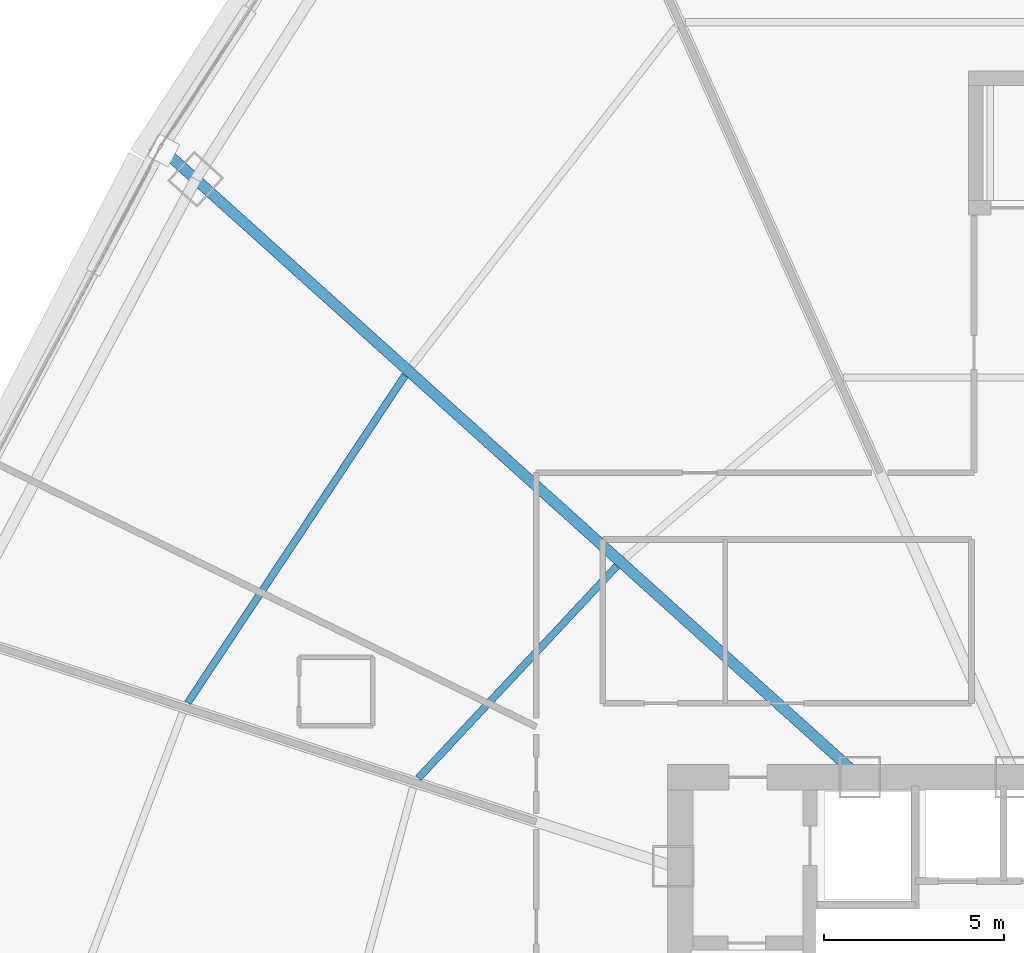
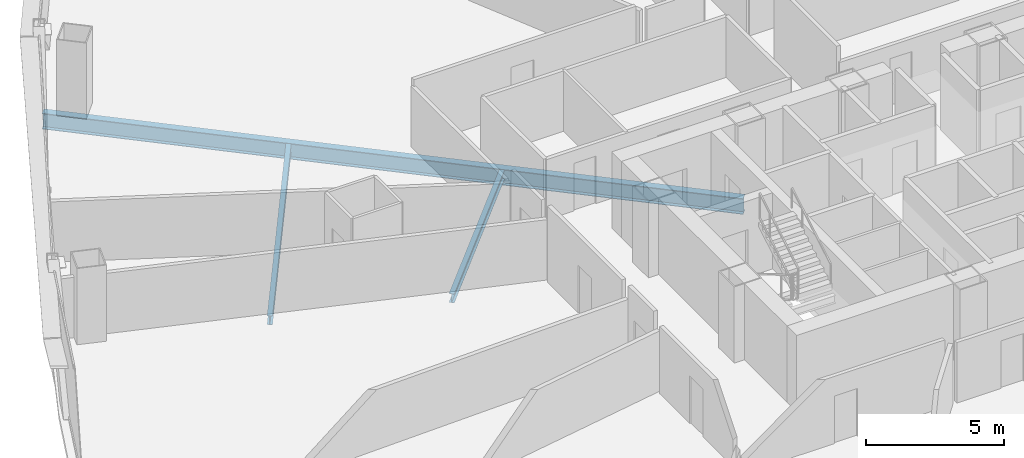
# One storey, part 15 of 37: 3 beams.
"""IFC4 building model written with IfcOpenShell, lengths in metres."""

import ifcopenshell
import ifcopenshell.guid

model = None  # the IFC model being written
_history = None  # IfcOwnerHistory: only IFC2X3 demands one
_inside = {}  # id of a spatial element -> (the spatial element, [elements in it])
_under = {}  # id of a project, library or spatial element -> (it, [spatial elements below it])
_declared = {}  # id of a project -> (the project, [libraries it declares])
_typed = {}  # id of a type object -> (the type object, [elements of that type])
_made_of = {}  # id of a material, layer set ... -> (it, [elements and type objects made of it])


def new_model(schema):
    """Start an empty IFC model of exactly this schema.

    Asked for "IFC4X3", IfcOpenShell would pick the latest addendum, in which some entities
    have other attributes; the version numbers below select the first issue.
    IFC2X3 requires an IfcOwnerHistory on every rooted entity: one is made here for all.
    """
    global model, _history
    if schema == "IFC4X3":
        model = ifcopenshell.file(schema_version=(4, 3, 0, 0))
    else:
        model = ifcopenshell.file(schema=schema)
    _inside.clear()
    _under.clear()
    _declared.clear()
    _typed.clear()
    _made_of.clear()
    _history = None
    if model.schema == "IFC2X3":
        org = make("IfcOrganization", Name="unknown")
        user = make(
            "IfcPersonAndOrganization",
            ThePerson=make("IfcPerson", FamilyName="unknown"),
            TheOrganization=org,
        )
        app = make(
            "IfcApplication",
            ApplicationDeveloper=org,
            Version="unknown",
            ApplicationFullName="unknown",
            ApplicationIdentifier="unknown",
        )
        _history = make(
            "IfcOwnerHistory",
            OwningUser=user,
            OwningApplication=app,
            ChangeAction="ADDED",
            CreationDate=0,
        )
    return model


def make(cls, **values):
    """One entity of the class cls with the attributes given. An attribute that is None is left unset."""
    return model.create_entity(
        cls, **{name: value for name, value in values.items() if value is not None}
    )


def rooted(cls, **values):
    """An entity with a GlobalId (a new one), such as an element, a storey or a relation."""
    return make(cls, GlobalId=ifcopenshell.guid.new(), OwnerHistory=_history, **values)


def si_unit(unit_type, name, prefix=None):
    """IfcSIUnit, for example si_unit("LENGTHUNIT", "METRE", prefix="MILLI")."""
    return make("IfcSIUnit", UnitType=unit_type, Prefix=prefix, Name=name)


def assignment(units):
    """IfcUnitAssignment: the units of a project."""
    return None if units is None else make("IfcUnitAssignment", Units=units)


def point(xyz):
    """IfcCartesianPoint."""
    return None if xyz is None else make("IfcCartesianPoint", Coordinates=xyz)


def direction(xyz):
    """IfcDirection."""
    return None if xyz is None else make("IfcDirection", DirectionRatios=xyz)


def frame(location, z_axis=None, x_axis=None):
    """IfcAxis2Placement3D, a coordinate frame: its origin and axes. An axis left out is left unset."""
    return make(
        "IfcAxis2Placement3D",
        Location=point(location),
        Axis=direction(z_axis),
        RefDirection=direction(x_axis),
    )


def frame_2d(location, x_axis=None):
    """IfcAxis2Placement2D, a coordinate frame in the plane: its origin and x axis."""
    return make(
        "IfcAxis2Placement2D", Location=point(location), RefDirection=direction(x_axis)
    )


def origin():
    """The frame at (0, 0, 0) with its axes left unset."""
    return frame((0.0, 0.0, 0.0))


def origin_2d():
    """The frame at (0, 0) in the plane with its x axis left unset."""
    return frame_2d((0.0, 0.0))


def place(relative_to, where):
    """IfcLocalPlacement: puts the frame where relative to a parent placement (None: the world)."""
    return make(
        "IfcLocalPlacement", PlacementRelTo=relative_to, RelativePlacement=where
    )


def context(
    kind, dimensions, precision=None, world=None, true_north=None, identifier=None
):
    """IfcGeometricRepresentationContext, for example the 3D "Model" context."""
    return make(
        "IfcGeometricRepresentationContext",
        ContextIdentifier=identifier,
        ContextType=kind,
        CoordinateSpaceDimension=dimensions,
        Precision=precision,
        WorldCoordinateSystem=world,
        TrueNorth=true_north,
    )


def subcontext(parent, identifier, kind, view, scale=None):
    """IfcGeometricRepresentationSubContext, for example "Body" below "Model"."""
    return make(
        "IfcGeometricRepresentationSubContext",
        ContextIdentifier=identifier,
        ContextType=kind,
        ParentContext=parent,
        TargetScale=scale,
        TargetView=view,
    )


def project(units=None, contexts=None):
    """IfcProject with its units and contexts."""
    return rooted(
        "IfcProject",
        Name="project",
        RepresentationContexts=contexts,
        UnitsInContext=assignment(units),
    )


def spatial(cls, under=None, at=None, **own):
    """A site, building, storey or space (cls), placed at a placement, below another one or the project."""
    s = rooted(cls, ObjectPlacement=at, **own)
    if under is not None:
        _under.setdefault(under.id(), (under, []))[1].append(s)
    return s


def profile(cls, at=None, kind="AREA", **sizes):
    """A parametric profile (cls). Its sizes go by their IFC names, for example OverallWidth=200.0."""
    return make(cls, ProfileType=kind, Position=at, **sizes)


def i_section(**sizes):
    """IfcIShapeProfileDef."""
    return profile("IfcIShapeProfileDef", **sizes)


def extrude(swept, where, along, depth):
    """IfcExtrudedAreaSolid: the profile swept, set in the frame where, extruded along a direction by depth."""
    return make(
        "IfcExtrudedAreaSolid",
        SweptArea=swept,
        Position=where,
        ExtrudedDirection=direction(along),
        Depth=depth,
    )


def shape(context_of_items, identifier, shape_type, items):
    """IfcShapeRepresentation: the items that make up one representation, for example the "Body"."""
    return make(
        "IfcShapeRepresentation",
        ContextOfItems=context_of_items,
        RepresentationIdentifier=identifier,
        RepresentationType=shape_type,
        Items=items,
    )


def source(mapping_origin, context_of_items, identifier, shape_type, items):
    """IfcRepresentationMap: a shape defined once, which mapped items show again and again."""
    return make(
        "IfcRepresentationMap",
        MappingOrigin=mapping_origin,
        MappedRepresentation=shape(context_of_items, identifier, shape_type, items),
    )


def transform(
    local_origin,
    x_axis=None,
    y_axis=None,
    z_axis=None,
    scale=None,
    scale2=None,
    scale3=None,
    uniform=True,
):
    """IfcCartesianTransformationOperator3D, or its non-uniform kind. x_axis, y_axis, z_axis: its Axis1, 2, 3."""
    if uniform:
        return make(
            "IfcCartesianTransformationOperator3D",
            Axis1=direction(x_axis),
            Axis2=direction(y_axis),
            LocalOrigin=point(local_origin),
            Scale=scale,
            Axis3=direction(z_axis),
        )
    return make(
        "IfcCartesianTransformationOperator3DnonUniform",
        Axis1=direction(x_axis),
        Axis2=direction(y_axis),
        LocalOrigin=point(local_origin),
        Scale=scale,
        Axis3=direction(z_axis),
        Scale2=scale2,
        Scale3=scale3,
    )


def mapped(mapping_source, mapping_target):
    """IfcMappedItem: shows the shape of a source again, moved by a transform."""
    return make(
        "IfcMappedItem", MappingSource=mapping_source, MappingTarget=mapping_target
    )


def material(Name=None, Category=None):
    """IfcMaterial."""
    return make("IfcMaterial", Name=Name, Category=Category)


def material_profile(
    of_material, cross_section, Name=None, Category=None, Priority=None
):
    """IfcMaterialProfile: a cross section and its material."""
    return make(
        "IfcMaterialProfile",
        Name=Name,
        Material=of_material,
        Profile=cross_section,
        Priority=Priority,
        Category=Category,
    )


def profile_set(profiles, Name=None, composite=None):
    """IfcMaterialProfileSet."""
    return make(
        "IfcMaterialProfileSet",
        Name=Name,
        MaterialProfiles=profiles,
        CompositeProfile=composite,
    )


def made_of(thing, what):
    """Note that an element or type object is made of a material, layer set ...; save() writes the relation."""
    if what is not None:
        _made_of.setdefault(what.id(), (what, []))[1].append(thing)
    return thing


def type_object(cls, material=None, **own):
    """A type object (cls), such as IfcWallType, which elements share."""
    return made_of(rooted(cls, **own), material)


def element(
    cls,
    number,
    at=None,
    inside=None,
    cuts=None,
    type_object=None,
    material=None,
    context=None,
    identifier="Body",
    shape_type=None,
    held_by="IfcProductDefinitionShape",
    body=None,
    shapes=None,
    **own,
):
    """One element of the class cls, such as IfcWall. Its Tag is "e" and its number.

    at: its placement. inside: the storey or other place that contains it. cuts: it is an
    opening in that element (IfcRelVoidsElement). A single representation is given by context,
    identifier, shape_type and body (its items); several are given by shapes. held_by: the class
    of the entity that holds the representations. save() writes the other relations.
    """
    e = rooted(cls, Tag="e%d" % number, ObjectPlacement=at, **own)
    if body is not None:
        shapes = [shape(context, identifier, shape_type, body)]
    if shapes is not None:
        e.Representation = make(held_by, Representations=shapes)
    if inside is not None:
        _inside.setdefault(inside.id(), (inside, []))[1].append(e)
    if cuts is not None:
        rooted(
            "IfcRelVoidsElement", RelatingBuildingElement=cuts, RelatedOpeningElement=e
        )
    if type_object is not None:
        _typed.setdefault(type_object.id(), (type_object, []))[1].append(e)
    return made_of(e, material)


def aggregate(whole, parts):
    """IfcRelAggregates: a whole, such as a stair, and the parts it consists of."""
    return rooted("IfcRelAggregates", RelatingObject=whole, RelatedObjects=parts)


def save(model, path):
    """Write the relations noted so far, then the file.

    IfcRelAggregates (storeys below a building ...), IfcRelContainedInSpatialStructure (elements
    in a storey), IfcRelDefinesByType, IfcRelAssociatesMaterial and IfcRelDeclares: one each for
    every whole, place, type object, material and project.
    """
    for whole, parts in _under.values():
        aggregate(whole, parts)
    for where, things in _inside.values():
        rooted(
            "IfcRelContainedInSpatialStructure",
            RelatedElements=things,
            RelatingStructure=where,
        )
    for kind, things in _typed.values():
        rooted("IfcRelDefinesByType", RelatedObjects=things, RelatingType=kind)
    for what, things in _made_of.values():
        rooted("IfcRelAssociatesMaterial", RelatedObjects=things, RelatingMaterial=what)
    for by, libraries in _declared.values():
        rooted("IfcRelDeclares", RelatingContext=by, RelatedDefinitions=libraries)
    model.write(path)


model = new_model("IFC4")

# Units and contexts
model_context = context("Model", 3, precision=1e-05, world=origin(), true_north=direction((0.0, 1.0)))
body_context = subcontext(model_context, "Body", "Model", "MODEL_VIEW")
ifc_project = project(units=[si_unit("LENGTHUNIT", "METRE"), si_unit("AREAUNIT", "SQUARE_METRE"), si_unit("VOLUMEUNIT", "CUBIC_METRE"), si_unit("PLANEANGLEUNIT", "RADIAN"), si_unit("MASSUNIT", "GRAM", prefix="KILO"), si_unit("THERMODYNAMICTEMPERATUREUNIT", "KELVIN"), si_unit("POWERUNIT", "WATT")], contexts=[model_context])

# Site, building, storey
site_placement = place(None, origin())
site = spatial("IfcSite", under=ifc_project, at=site_placement, CompositionType="ELEMENT")
building_placement = place(site_placement, origin())
building = spatial("IfcBuilding", under=site, at=building_placement, Name="Yunzhuo Pagoda Commons", CompositionType="ELEMENT")
storey_placement = place(building_placement, frame((0.0, 0.0, 59.43994140625)))
storey = spatial("IfcBuildingStorey", under=building, at=storey_placement, Name="L15", CompositionType="ELEMENT", Elevation=59.43994140625)

# Beams
ifc_material = material(Name="Structural steel Q355B", Category="steel")
ifc_material_profile_1 = material_profile(ifc_material, i_section(OverallWidth=0.199951171875, OverallDepth=0.39990234375, WebThickness=0.008056640625, FlangeThickness=0.012939453125, at=origin_2d()), Name="Structural steel Q355B")
ifc_profile_set_1 = profile_set([ifc_material_profile_1], Name="Structural steel Q355B")
beam_type_1 = type_object("IfcBeamType", Name="B-JS1 Joist HN 400x200x8x13", PredefinedType="JOIST", material=ifc_profile_set_1)
shared_shape_1 = source(origin(), body_context, "Body", "SweptSolid", [
    extrude(i_section(OverallWidth=0.199951171875, OverallDepth=0.39990234375, WebThickness=0.008056640625, FlangeThickness=0.012939453125, at=origin_2d()), origin(), (0.0, 0.0, 1.0), 8.055908203125),
])
beam_1_placement = place(storey_placement, frame((34.03759765625, 46.057861328125, -0.459716796875), z_axis=(-0.683432879027, -0.730013355949, 0.0), x_axis=(0.730013355949, -0.683432879027, 0.0)))
element("IfcBeam", 1, at=beam_1_placement, inside=storey, type_object=beam_type_1, Name="L15 composite ring joist 1.10", PredefinedType="JOIST", context=body_context, shape_type="MappedRepresentation", body=[
    mapped(shared_shape_1, transform((0.0, 0.0, 0.0), scale=1.0)),
])
shared_shape_2 = source(origin(), body_context, "Body", "SweptSolid", [
    extrude(i_section(OverallWidth=0.199951171875, OverallDepth=0.39990234375, WebThickness=0.008056640625, FlangeThickness=0.012939453125, at=origin_2d()), origin(), (0.0, 0.0, 1.0), 10.904052734375),
])
beam_2_placement = place(storey_placement, frame((28.160888671875, 51.351806640625, -0.459716796875), z_axis=(-0.552916349928, -0.833236767061, 0.0), x_axis=(0.833236767061, -0.552916349928, 0.0)))
element("IfcBeam", 2, at=beam_2_placement, inside=storey, type_object=beam_type_1, Name="L15 composite ring joist 2.10", PredefinedType="JOIST", context=body_context, shape_type="MappedRepresentation", body=[
    mapped(shared_shape_2, transform((0.0, 0.0, 0.0), scale=1.0)),
])
ifc_material_profile_2 = material_profile(ifc_material, i_section(OverallWidth=0.300048828125, OverallDepth=0.699951171875, WebThickness=0.012939453125, FlangeThickness=0.02392578125, at=origin_2d()), Name="Structural steel Q355B")
ifc_profile_set_2 = profile_set([ifc_material_profile_2], Name="Structural steel Q355B")
beam_type_2 = type_object("IfcBeamType", Name="B-RG1 Beam HN 700x300x13x24", PredefinedType="BEAM", material=ifc_profile_set_2)
shared_shape_3 = source(origin(), body_context, "Body", "SweptSolid", [
    extrude(i_section(OverallWidth=0.300048828125, OverallDepth=0.699951171875, WebThickness=0.012939453125, FlangeThickness=0.02392578125, at=origin_2d()), origin(), (0.0, 0.0, 1.0), 25.97607421875),
])
beam_3_placement = place(storey_placement, frame((21.47705078125, 57.581298828125, -0.60986328125), z_axis=(0.743145046906, -0.669130360437, 0.0), x_axis=(0.669130360437, 0.743145046906, 0.0)))
element("IfcBeam", 3, at=beam_3_placement, inside=storey, type_object=beam_type_2, Name="L15 radial floor girder F3C2", PredefinedType="BEAM", context=body_context, shape_type="MappedRepresentation", body=[
    mapped(shared_shape_3, transform((0.0, 0.0, 0.0), scale=1.0)),
])

save(model, "model.ifc")
